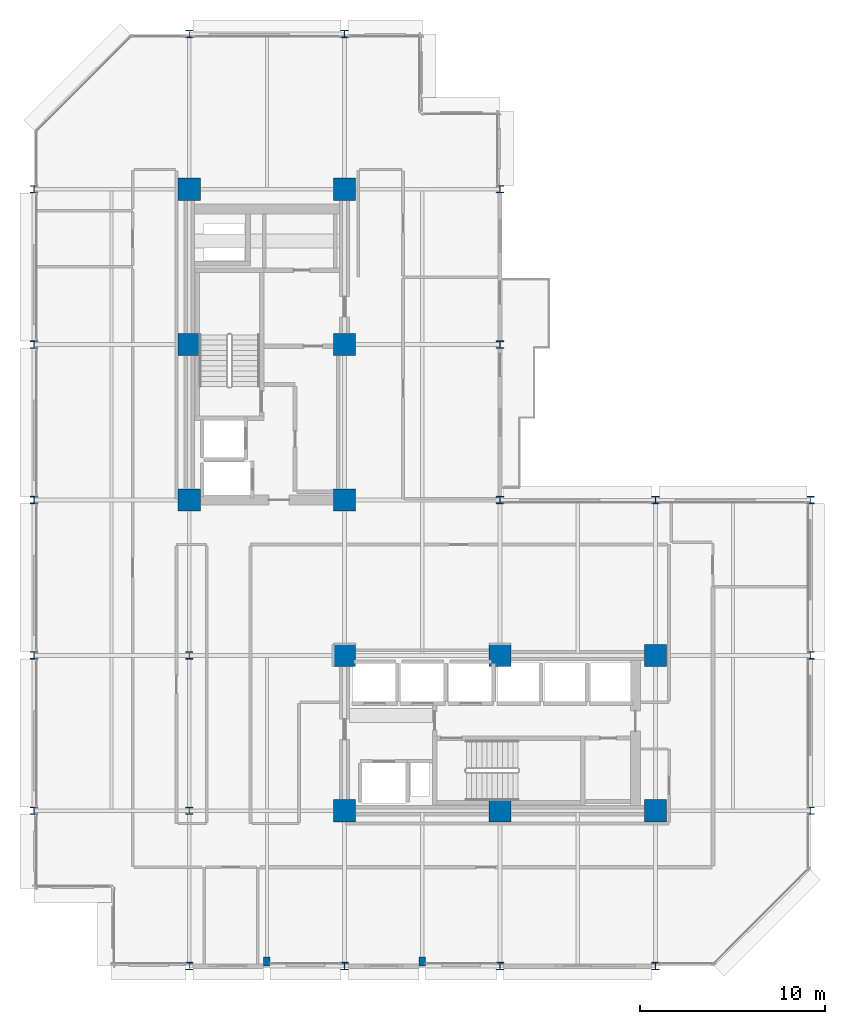
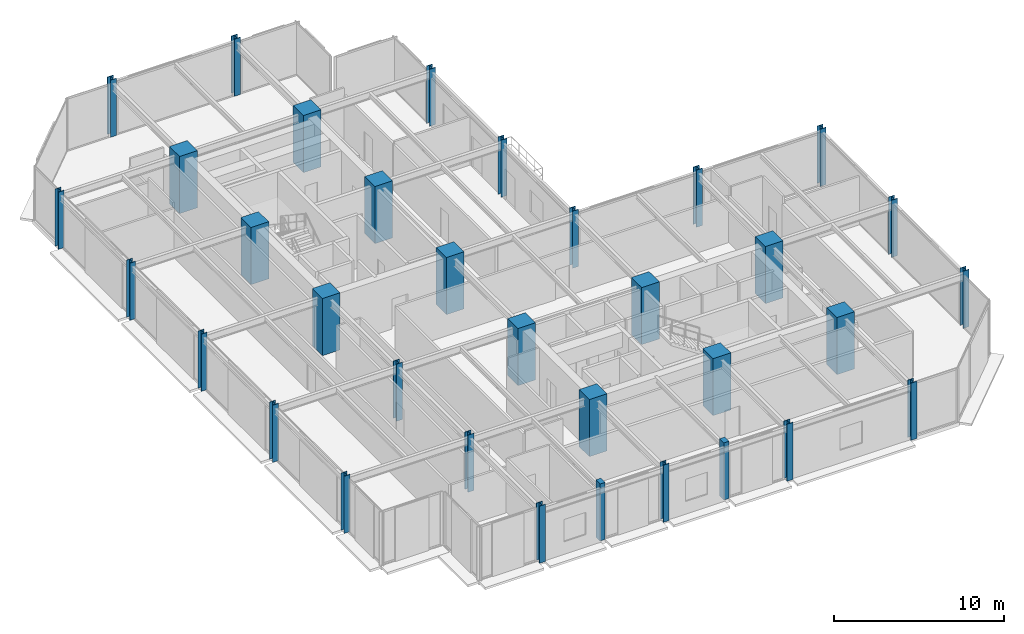
# One storey, part 1 of 30: 34 columns.
"""IFC4 building model written with IfcOpenShell, lengths in metres."""

from ifc_helpers import new_model, si_unit, direction, frame, origin, origin_2d, place, context, subcontext, project, spatial, rectangle, i_section, extrude, material, material_profile, profile_set, type_object, element, save


model = new_model("IFC4")

# Units and contexts
model_context = context("Model", 3, precision=1e-05, world=origin(), true_north=direction((0.0, 1.0)))
body_context = subcontext(model_context, "Body", "Model", "MODEL_VIEW")
ifc_project = project(units=[si_unit("LENGTHUNIT", "METRE"), si_unit("AREAUNIT", "SQUARE_METRE"), si_unit("VOLUMEUNIT", "CUBIC_METRE"), si_unit("PLANEANGLEUNIT", "RADIAN"), si_unit("MASSUNIT", "GRAM", prefix="KILO")], contexts=[model_context])

# Site, building, storey
site_placement = place(None, origin())
site = spatial("IfcSite", under=ifc_project, at=site_placement, CompositionType="ELEMENT")
building_placement = place(site_placement, origin())
building = spatial("IfcBuilding", under=site, at=building_placement, Name="Nerrivon Quay Data Exchange", CompositionType="ELEMENT")
storey_placement = place(building_placement, frame((0.0, 0.0, 154.10009765625)))
storey = spatial("IfcBuildingStorey", under=building, at=storey_placement, Name="L36", CompositionType="ELEMENT", Elevation=154.10009765625)

# Columns
ifc_material_1 = material(Name="Concrete S65 (65 MPa)", Category="concrete")
ifc_material_profile_1 = material_profile(ifc_material_1, rectangle(XDim=1.199951171875, YDim=1.199951171875, at=origin_2d()), Name="RC-COL-1200x1200")
ifc_profile_set_1 = profile_set([ifc_material_profile_1], Name="Concrete S65 (65 MPa)")
column_type_1 = type_object("IfcColumnType", Name="COL-C3-1200", PredefinedType="COLUMN", material=ifc_profile_set_1)
for number, where, z_axis, x_axis, name in (
    (1, (8.39990234375, 25.199951171875, 0.0), (0.0, 0.0, 1.0), (1.0, 0.0, 0.0), "L36 Column (8.4,25.2)"),
    (2, (8.39990234375, 33.60009765625, 0.0), (0.0, 0.0, 1.0), (1.0, 0.0, 0.0), "L36 Column (8.4,33.6)"),
    (3, (8.39990234375, 42.0, 0.0), (0.0, 0.0, 1.0), (1.0, 0.0, 0.0), "L36 Column (8.4,42.0)"),
    (4, (16.800048828125, 8.39990234375, 0.0), (0.0, 0.0, 1.0), (1.0, 0.0, 0.0), "L36 Column (16.8,8.4)"),
    (5, (16.800048828125, 16.800048828125, 0.0), (0.0, 0.0, 1.0), (1.0, 0.0, 0.0), "L36 Column (16.8,16.8)"),
    (6, (16.800048828125, 25.199951171875, 0.0), (0.0, 0.0, 1.0), (1.0, 0.0, 0.0), "L36 Column (16.8,25.2)"),
    (7, (16.800048828125, 33.60009765625, 0.0), (0.0, 0.0, 1.0), (1.0, 0.0, 0.0), "L36 Column (16.8,33.6)"),
    (8, (16.800048828125, 42.0, 0.0), (0.0, 0.0, 1.0), (1.0, 0.0, 0.0), "L36 Column (16.8,42.0)"),
    (9, (25.199951171875, 8.39990234375, 0.0), (0.0, 0.0, 1.0), (1.0, 0.0, 0.0), "L36 Column (25.2,8.4)"),
    (10, (25.199951171875, 16.800048828125, 0.0), (0.0, 0.0, 1.0), (1.0, 0.0, 0.0), "L36 Column (25.2,16.8)"),
    (11, (33.60009765625, 8.39990234375, 0.0), (0.0, 0.0, 1.0), (1.0, 0.0, 0.0), "L36 Column (33.6,8.4)"),
    (12, (33.60009765625, 16.800048828125, 0.0), (0.0, 0.0, 1.0), (1.0, 0.0, 0.0), "L36 Column (33.6,16.8)"),
):
    element("IfcColumn", number, at=place(storey_placement, frame(where, z_axis=z_axis, x_axis=x_axis)), inside=storey, type_object=column_type_1, Name=name, PredefinedType="COLUMN", context=body_context, shape_type="SweptSolid", body=[
        extrude(rectangle(XDim=1.199951171875, YDim=1.199951171875, at=origin_2d()), origin(), (0.0, 0.0, 1.0), 4.099853515625),
    ])
ifc_material_2 = material(Name="Steel Grade 350", Category="steel")
ifc_material_profile_2 = material_profile(ifc_material_2, i_section(OverallWidth=0.39990234375, OverallDepth=0.39990234375, WebThickness=0.02490234375, FlangeThickness=0.0400390625, at=origin_2d()), Name="400WC328")
ifc_profile_set_2 = profile_set([ifc_material_profile_2], Name="Steel Grade 350")
column_type_2 = type_object("IfcColumnType", Name="COL-SC2-400WC", PredefinedType="COLUMN", material=ifc_profile_set_2)
for number, where, z_axis, x_axis, name in (
    (13, (0.0, 8.39990234375, 0.0), (0.0, 0.0, 1.0), (1.0, 0.0, 0.0), "L36 Column (0.0,8.4)"),
    (14, (0.0, 16.800048828125, 0.0), (0.0, 0.0, 1.0), (1.0, 0.0, 0.0), "L36 Column (0.0,16.8)"),
    (15, (0.0, 25.199951171875, 0.0), (0.0, 0.0, 1.0), (1.0, 0.0, 0.0), "L36 Column (0.0,25.2)"),
    (16, (0.0, 33.60009765625, 0.0), (0.0, 0.0, 1.0), (1.0, 0.0, 0.0), "L36 Column (0.0,33.6)"),
    (17, (0.0, 42.0, 0.0), (0.0, 0.0, 1.0), (1.0, 0.0, 0.0), "L36 Column (0.0,42.0)"),
    (18, (8.39990234375, 0.0, 0.0), (0.0, 0.0, 1.0), (1.0, 0.0, 0.0), "L36 Column (8.4,0.0)"),
    (19, (8.39990234375, 8.39990234375, 0.0), (0.0, 0.0, 1.0), (1.0, 0.0, 0.0), "L36 Column (8.4,8.4)"),
    (20, (8.39990234375, 16.800048828125, 0.0), (0.0, 0.0, 1.0), (1.0, 0.0, 0.0), "L36 Column (8.4,16.8)"),
    (21, (8.39990234375, 50.39990234375, 0.0), (0.0, 0.0, 1.0), (1.0, 0.0, 0.0), "L36 Column (8.4,50.4)"),
    (22, (16.800048828125, 0.0, 0.0), (0.0, 0.0, 1.0), (1.0, 0.0, 0.0), "L36 Column (16.8,0.0)"),
    (23, (16.800048828125, 50.39990234375, 0.0), (0.0, 0.0, 1.0), (1.0, 0.0, 0.0), "L36 Column (16.8,50.4)"),
    (24, (25.199951171875, 0.0, 0.0), (0.0, 0.0, 1.0), (1.0, 0.0, 0.0), "L36 Column (25.2,0.0)"),
    (25, (25.199951171875, 25.199951171875, 0.0), (0.0, 0.0, 1.0), (1.0, 0.0, 0.0), "L36 Column (25.2,25.2)"),
    (26, (25.199951171875, 33.60009765625, 0.0), (0.0, 0.0, 1.0), (1.0, 0.0, 0.0), "L36 Column (25.2,33.6)"),
    (27, (25.199951171875, 42.0, 0.0), (0.0, 0.0, 1.0), (1.0, 0.0, 0.0), "L36 Column (25.2,42.0)"),
    (28, (33.60009765625, 0.0, 0.0), (0.0, 0.0, 1.0), (1.0, 0.0, 0.0), "L36 Column (33.6,0.0)"),
    (29, (33.60009765625, 25.199951171875, 0.0), (0.0, 0.0, 1.0), (1.0, 0.0, 0.0), "L36 Column (33.6,25.2)"),
    (30, (42.0, 8.39990234375, 0.0), (0.0, 0.0, 1.0), (1.0, 0.0, 0.0), "L36 Column (42.0,8.4)"),
    (31, (42.0, 16.800048828125, 0.0), (0.0, 0.0, 1.0), (1.0, 0.0, 0.0), "L36 Column (42.0,16.8)"),
    (32, (42.0, 25.199951171875, 0.0), (0.0, 0.0, 1.0), (1.0, 0.0, 0.0), "L36 Column (42.0,25.2)"),
):
    element("IfcColumn", number, at=place(storey_placement, frame(where, z_axis=z_axis, x_axis=x_axis)), inside=storey, type_object=column_type_2, Name=name, PredefinedType="COLUMN", context=body_context, shape_type="SweptSolid", body=[
        extrude(i_section(OverallWidth=0.39990234375, OverallDepth=0.39990234375, WebThickness=0.02490234375, FlangeThickness=0.0400390625, at=origin_2d()), origin(), (0.0, 0.0, 1.0), 4.099853515625),
    ])
ifc_material_3 = material(Name="Concrete N50 (50 MPa)", Category="concrete")
ifc_material_profile_3 = material_profile(ifc_material_3, rectangle(XDim=0.35009765625, YDim=0.5, at=origin_2d()), Name="RC-PIL-500x350")
ifc_profile_set_3 = profile_set([ifc_material_profile_3], Name="Concrete N50 (50 MPa)")
column_type_3 = type_object("IfcColumnType", Name="PIL-P2-500x350", PredefinedType="PILASTER", material=ifc_profile_set_3)
for number, where, z_axis, x_axis, name in (
    (33, (12.60009765625, 0.25, 0.0), (0.0, 0.0, 1.0), (1.0, 0.0, 0.0), "L36 Facade Pilaster (12.6)"),
    (34, (21.0, 0.25, 0.0), (0.0, 0.0, 1.0), (1.0, 0.0, 0.0), "L36 Facade Pilaster (21.0)"),
):
    element("IfcColumn", number, at=place(storey_placement, frame(where, z_axis=z_axis, x_axis=x_axis)), inside=storey, type_object=column_type_3, Name=name, PredefinedType="PILASTER", context=body_context, shape_type="SweptSolid", body=[
        extrude(rectangle(XDim=0.35009765625, YDim=0.5, at=origin_2d()), origin(), (0.0, 0.0, 1.0), 4.099853515625),
    ])

save(model, "model.ifc")
